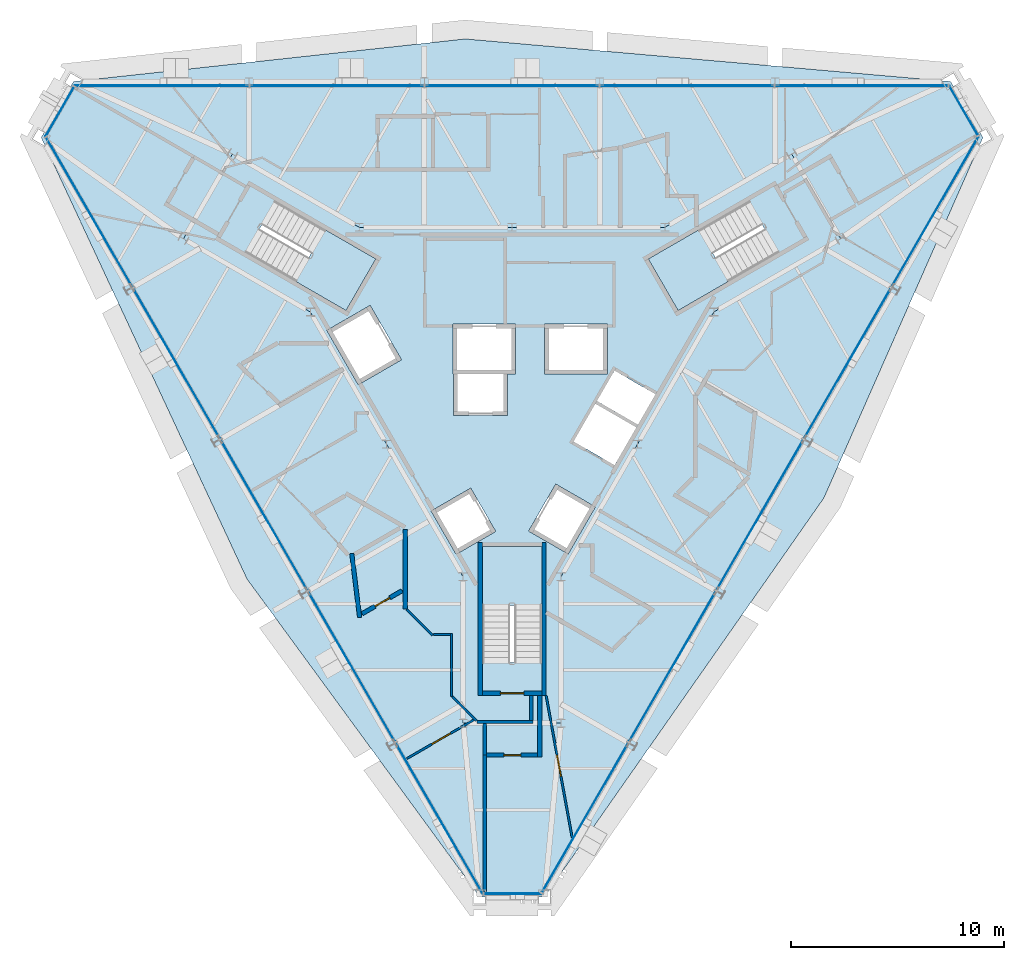
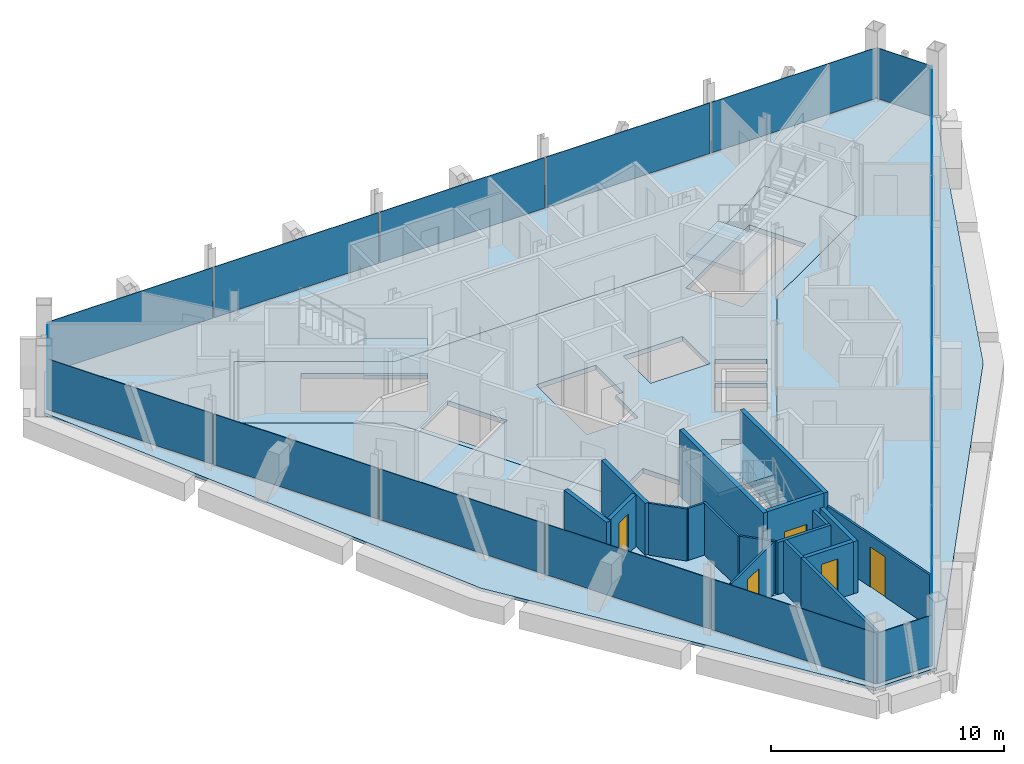
# One storey, part 8 of 14: 18 plates, 18 walls, 5 doors, 5 slabs, 5 openings, 9 elements without a shape of their own.
"""IFC4 building model written with IfcOpenShell, lengths in metres."""

from ifc_helpers import new_model, si_unit, direction, frame, frame_2d, origin, origin_2d, place, context, subcontext, project, spatial, polyline, rectangle, outline, extrude, material, layer, layer_set, type_object, element, fill, aggregate, save


model = new_model("IFC4")

# Units and contexts
model_context = context("Model", 3, precision=1e-05, world=origin(), true_north=direction((0.0, 1.0)))
body_context = subcontext(model_context, "Body", "Model", "MODEL_VIEW")
ifc_project = project(units=[si_unit("LENGTHUNIT", "METRE"), si_unit("AREAUNIT", "SQUARE_METRE"), si_unit("VOLUMEUNIT", "CUBIC_METRE"), si_unit("PLANEANGLEUNIT", "RADIAN"), si_unit("MASSUNIT", "GRAM", prefix="KILO")], contexts=[model_context])

# Site, building, storey
site_placement = place(None, origin())
site = spatial("IfcSite", under=ifc_project, at=site_placement, CompositionType="ELEMENT")
building_placement = place(site_placement, origin())
building = spatial("IfcBuilding", under=site, at=building_placement, Name="Verrane Prism Tower", CompositionType="ELEMENT")
storey_placement = place(building_placement, frame((0.0, 0.0, 293.60009765625)))
storey = spatial("IfcBuildingStorey", under=building, at=storey_placement, Name="L74", CompositionType="ELEMENT", Elevation=293.60009765625)

# Slabs
ifc_material_1 = material(Name="Concrete C35/45", Category="concrete")
ifc_layer_1 = layer(ifc_material_1, 0.159912109375)
ifc_layer_set_1 = layer_set([ifc_layer_1], Name="Composite floor slab")
slab_type_1 = type_object("IfcSlabType", Name="Composite floor slab", PredefinedType="FLOOR", material=ifc_layer_set_1)
slab_1_placement = place(storey_placement, frame((0.0, 0.0, -0.16015625)))
element("IfcSlab", 1, at=slab_1_placement, inside=storey, type_object=slab_type_1, Name="Floor slab L74", PredefinedType="FLOOR", context=body_context, shape_type="SweptSolid", body=[
    extrude(outline(polyline([(14.652099609375, -5.921630859375), (1.51904296875, -24.6689453125), (-1.51904296875, -24.6689453125), (-12.454345703125, -9.728515625), (-22.12353515625, 11.01904296875), (-20.6044921875, 13.64990234375), (-2.19775390625, 15.64990234375), (20.6044921875, 13.64990234375), (22.12353515625, 11.01904296875), (14.652099609375, -5.921630859375)]), holes=[polyline([(15.43994140625, 6.260009765625), (13.139892578125, 10.239990234375), (7.179931640625, 6.800048828125), (0.0, 6.800048828125), (-7.179931640625, 6.800048828125), (-13.139892578125, 10.239990234375), (-15.43994140625, 6.260009765625), (-9.47998046875, 2.820068359375), (-5.889892578125, -3.39990234375), (-2.300048828125, -9.6201171875), (-2.300048828125, -16.5), (2.300048828125, -16.5), (2.300048828125, -9.6201171875), (5.889892578125, -3.39990234375), (9.47998046875, 2.820068359375), (15.43994140625, 6.260009765625)])]), origin(), (0.0, 0.0, 1.0), 0.16015625),
])
ifc_material_2 = material(Name="Concrete C40/50", Category="concrete")
ifc_layer_2 = layer(ifc_material_2, 0.25)
ifc_layer_set_2 = layer_set([ifc_layer_2], Name="Core floor slab 250 concrete C40/50")
slab_type_2 = type_object("IfcSlabType", Name="Core floor slab 250 concrete C40/50", PredefinedType="FLOOR", material=ifc_layer_set_2)
slab_2_placement = place(storey_placement, frame((0.0, 0.0, -0.25)))
element("IfcSlab", 2, at=slab_2_placement, inside=storey, type_object=slab_type_2, Name="Core floor L74", PredefinedType="FLOOR", context=body_context, shape_type="SweptSolid", body=[
    extrude(outline(polyline([(9.47998046875, 2.820068359375), (15.43994140625, 6.260009765625), (13.139892578125, 10.239990234375), (7.179931640625, 6.800048828125), (0.0, 6.800048828125), (-7.179931640625, 6.800048828125), (-13.139892578125, 10.239990234375), (-15.43994140625, 6.260009765625), (-9.47998046875, 2.820068359375), (-5.889892578125, -3.39990234375), (-2.300048828125, -9.6201171875), (-2.300048828125, -16.5), (2.300048828125, -16.5), (2.300048828125, -9.6201171875), (5.889892578125, -3.39990234375), (9.47998046875, 2.820068359375)]), holes=[polyline([(-1.39990234375, -8.199951171875), (1.39990234375, -8.199951171875), (1.39990234375, -13.639892578125), (-1.39990234375, -13.639892578125), (-1.39990234375, -8.199951171875)]), polyline([(-0.76708984375, -7.491943359375), (-2.62890625, -8.56689453125), (-3.803955078125, -6.531982421875), (-1.94189453125, -5.45703125), (-0.76708984375, -7.491943359375)]), polyline([(3.9140625, -6.341064453125), (2.638916015625, -8.550048828125), (0.777099609375, -7.47509765625), (2.052001953125, -5.26611328125), (3.9140625, -6.341064453125)]), polyline([(4.81494140625, -4.37890625), (2.888916015625, -3.26708984375), (3.9130859375, -1.490966796875), (5.841064453125, -2.60302734375), (4.81494140625, -4.37890625)]), polyline([(6.739990234375, -1.044921875), (5.916015625, -2.47412109375), (3.988037109375, -1.361083984375), (4.81396484375, 0.06689453125), (6.739990234375, -1.044921875)]), polyline([(-2.784912109375, -0.10009765625), (-2.784912109375, 2.25), (0.1650390625, 2.25), (0.1650390625, -0.10009765625), (-0.205078125, -0.10009765625), (-0.205078125, -2.050048828125), (-2.7548828125, -2.050048828125), (-2.7548828125, -0.10009765625), (-2.784912109375, -0.10009765625)]), polyline([(4.47509765625, 2.25), (4.47509765625, -0.10009765625), (1.52490234375, -0.10009765625), (1.52490234375, 2.25), (4.47509765625, 2.25)]), polyline([(-8.7041015625, 1.955078125), (-6.66796875, 3.1298828125), (-5.193115234375, 0.574951171875), (-7.22900390625, -0.60009765625), (-8.7041015625, 1.955078125)]), polyline([(-7.801025390625, 2.887939453125), (-12.512939453125, 5.60791015625), (-11.113037109375, 8.031982421875), (-6.40087890625, 5.31201171875), (-7.801025390625, 2.887939453125)]), polyline([(6.40087890625, 5.31201171875), (11.113037109375, 8.031982421875), (12.512939453125, 5.60791015625), (7.801025390625, 2.887939453125), (6.40087890625, 5.31201171875)])]), origin(), (0.0, 0.0, 1.0), 0.25),
])

# Curtain wall, plate
ifc_material_3 = material(Name="Aluminium framed insulated glazing", Category="aluminium")
curtain_wall_type = type_object("IfcCurtainWallType", Name="Curtain wall CW-A 8400 module", PredefinedType="NOTDEFINED", material=ifc_material_3)
curtain_wall_1_placement = place(storey_placement, origin())
curtain_wall_1 = element("IfcCurtainWall", 3, at=curtain_wall_1_placement, inside=storey, type_object=curtain_wall_type, Name="Glazed curtain wall north-east corner L74", PredefinedType="NOTDEFINED")
ifc_material_4 = material(Name="Low-iron insulating glass unit", Category="glass")
ifc_layer_3 = layer(ifc_material_4, 0.031982421875)
ifc_layer_set_3 = layer_set([ifc_layer_3], Name="Glazing panel IGU 32")
plate_type = type_object("IfcPlateType", Name="Glazing panel IGU 32", PredefinedType="CURTAIN_PANEL", material=ifc_layer_set_3)
plate_1_placement = place(storey_placement, frame((21.21484375, 12.288818359375, 0.06982421875), z_axis=(0.0, 0.0, 1.0), x_axis=(-0.500002040855, 0.866024225493, 0.0)))
plate_1 = element("IfcPlate", 4, at=plate_1_placement, type_object=plate_type, Name="CW72.1 panel 1", PredefinedType="CURTAIN_PANEL", context=body_context, shape_type="SweptSolid", body=[
    extrude(rectangle(XDim=2.67529296875, YDim=0.031982421875, at=origin_2d()), origin(), (0.0, 0.0, 1.0), 2.653076171875),
])
aggregate(curtain_wall_1, [plate_1])

# Curtain wall, plates
curtain_wall_2_placement = place(storey_placement, origin())
curtain_wall_2 = element("IfcCurtainWall", 5, at=curtain_wall_2_placement, inside=storey, type_object=curtain_wall_type, Name="Glazed curtain wall north face L74", PredefinedType="NOTDEFINED")
plate_2_placement = place(storey_placement, frame((16.41943359375, 13.447265625, 0.06982421875), z_axis=(0.0, 0.0, 1.0), x_axis=(-1.0, 0.0, 0.0)))
plate_2 = element("IfcPlate", 6, at=plate_2_placement, type_object=plate_type, Name="CW72.2 panel 1", PredefinedType="CURTAIN_PANEL", context=body_context, shape_type="SweptSolid", body=[
    extrude(rectangle(XDim=8.113525390625, YDim=0.031982421875, at=origin_2d()), origin(), (0.0, 0.0, 1.0), 2.653076171875),
])
plate_3_placement = place(storey_placement, frame((8.218505859375, 13.447265625, 0.06982421875), z_axis=(0.0, 0.0, 1.0), x_axis=(-1.0, 0.0, 0.0)))
plate_3 = element("IfcPlate", 7, at=plate_3_placement, type_object=plate_type, Name="CW72.2 panel 2", PredefinedType="CURTAIN_PANEL", context=body_context, shape_type="SweptSolid", body=[
    extrude(rectangle(XDim=8.1484375, YDim=0.031982421875, at=origin_2d()), origin(), (0.0, 0.0, 1.0), 2.653076171875),
])
plate_4_placement = place(storey_placement, frame((0.0, 13.447265625, 0.06982421875), z_axis=(0.0, 0.0, 1.0), x_axis=(-1.0, 0.0, 0.0)))
plate_4 = element("IfcPlate", 8, at=plate_4_placement, type_object=plate_type, Name="CW72.2 panel 3", PredefinedType="CURTAIN_PANEL", context=body_context, shape_type="SweptSolid", body=[
    extrude(rectangle(XDim=8.1484375, YDim=0.031982421875, at=origin_2d()), origin(), (0.0, 0.0, 1.0), 2.653076171875),
])
plate_5_placement = place(storey_placement, frame((-8.218505859375, 13.447265625, 0.06982421875), z_axis=(0.0, 0.0, 1.0), x_axis=(-1.0, 0.0, 0.0)))
plate_5 = element("IfcPlate", 9, at=plate_5_placement, type_object=plate_type, Name="CW72.2 panel 4", PredefinedType="CURTAIN_PANEL", context=body_context, shape_type="SweptSolid", body=[
    extrude(rectangle(XDim=8.1484375, YDim=0.031982421875, at=origin_2d()), origin(), (0.0, 0.0, 1.0), 2.653076171875),
])
plate_6_placement = place(storey_placement, frame((-16.454345703125, 13.447265625, 0.06982421875), z_axis=(0.0, 0.0, 1.0), x_axis=(-1.0, 0.0, 0.0)))
plate_6 = element("IfcPlate", 10, at=plate_6_placement, type_object=plate_type, Name="CW72.2 panel 5", PredefinedType="CURTAIN_PANEL", context=body_context, shape_type="SweptSolid", body=[
    extrude(rectangle(XDim=8.183349609375, YDim=0.031982421875, at=origin_2d()), origin(), (0.0, 0.0, 1.0), 2.653076171875),
])
aggregate(curtain_wall_2, [plate_2, plate_3, plate_4, plate_5, plate_6])

# Curtain wall, plate
curtain_wall_3_placement = place(storey_placement, origin())
curtain_wall_3 = element("IfcCurtainWall", 11, at=curtain_wall_3_placement, inside=storey, type_object=curtain_wall_type, Name="Glazed curtain wall north-west corner L74", PredefinedType="NOTDEFINED")
plate_7_placement = place(storey_placement, frame((-21.25, 12.228271484375, 0.06982421875), z_axis=(0.0, 0.0, 1.0), x_axis=(-0.500002040855, -0.866024225493, 0.0)))
plate_7 = element("IfcPlate", 12, at=plate_7_placement, type_object=plate_type, Name="CW72.3 panel 1", PredefinedType="CURTAIN_PANEL", context=body_context, shape_type="SweptSolid", body=[
    extrude(rectangle(XDim=2.67529296875, YDim=0.031982421875, at=origin_2d()), origin(), (0.0, 0.0, 1.0), 2.653076171875),
])
aggregate(curtain_wall_3, [plate_7])

# Curtain wall, plates
curtain_wall_4_placement = place(storey_placement, origin())
curtain_wall_4 = element("IfcCurtainWall", 13, at=curtain_wall_4_placement, inside=storey, type_object=curtain_wall_type, Name="Glazed curtain wall south-west face L74", PredefinedType="NOTDEFINED")
plate_8_placement = place(storey_placement, frame((-19.855224609375, 7.495849609375, 0.06982421875), z_axis=(0.0, 0.0, 1.0), x_axis=(0.500000938868, -0.866024861728, 0.0)))
plate_8 = element("IfcPlate", 14, at=plate_8_placement, type_object=plate_type, Name="CW72.4 panel 1", PredefinedType="CURTAIN_PANEL", context=body_context, shape_type="SweptSolid", body=[
    extrude(rectangle(XDim=8.113525390625, YDim=0.031982421875, at=origin_2d()), origin(), (0.0, 0.0, 1.0), 2.653076171875),
])
plate_9_placement = place(storey_placement, frame((-15.7548828125, 0.393798828125, 0.06982421875), z_axis=(0.0, 0.0, 1.0), x_axis=(0.500000938868, -0.866024861728, 0.0)))
plate_9 = element("IfcPlate", 15, at=plate_9_placement, type_object=plate_type, Name="CW72.4 panel 2", PredefinedType="CURTAIN_PANEL", context=body_context, shape_type="SweptSolid", body=[
    extrude(rectangle(XDim=8.1484375, YDim=0.031982421875, at=origin_2d()), origin(), (0.0, 0.0, 1.0), 2.653076171875),
])
plate_10_placement = place(storey_placement, frame((-11.645751953125, -6.7236328125, 0.06982421875), z_axis=(0.0, 0.0, 1.0), x_axis=(0.500000938868, -0.866024861728, 0.0)))
plate_10 = element("IfcPlate", 16, at=plate_10_placement, type_object=plate_type, Name="CW72.4 panel 3", PredefinedType="CURTAIN_PANEL", context=body_context, shape_type="SweptSolid", body=[
    extrude(rectangle(XDim=8.1484375, YDim=0.031982421875, at=origin_2d()), origin(), (0.0, 0.0, 1.0), 2.653076171875),
])
plate_11_placement = place(storey_placement, frame((-7.536376953125, -13.841064453125, 0.06982421875), z_axis=(0.0, 0.0, 1.0), x_axis=(0.500000938868, -0.866024861728, 0.0)))
plate_11 = element("IfcPlate", 17, at=plate_11_placement, type_object=plate_type, Name="CW72.4 panel 4", PredefinedType="CURTAIN_PANEL", context=body_context, shape_type="SweptSolid", body=[
    extrude(rectangle(XDim=8.1484375, YDim=0.031982421875, at=origin_2d()), origin(), (0.0, 0.0, 1.0), 2.653076171875),
])
plate_12_placement = place(storey_placement, frame((-3.41845703125, -20.973388671875, 0.06982421875), z_axis=(0.0, 0.0, 1.0), x_axis=(0.500000938868, -0.866024861728, 0.0)))
plate_12 = element("IfcPlate", 18, at=plate_12_placement, type_object=plate_type, Name="CW72.4 panel 5", PredefinedType="CURTAIN_PANEL", context=body_context, shape_type="SweptSolid", body=[
    extrude(rectangle(XDim=8.183349609375, YDim=0.031982421875, at=origin_2d()), origin(), (0.0, 0.0, 1.0), 2.653076171875),
])
aggregate(curtain_wall_4, [plate_8, plate_9, plate_10, plate_11, plate_12])

# Curtain wall, plate
curtain_wall_5_placement = place(storey_placement, origin())
curtain_wall_5 = element("IfcCurtainWall", 19, at=curtain_wall_5_placement, inside=storey, type_object=curtain_wall_type, Name="Glazed curtain wall south corner L74", PredefinedType="NOTDEFINED")
plate_13_placement = place(storey_placement, frame((0.034912109375, -24.51708984375, 0.06982421875), z_axis=(0.0, 0.0, 1.0), x_axis=(1.0, 0.0, 0.0)))
plate_13 = element("IfcPlate", 20, at=plate_13_placement, type_object=plate_type, Name="CW72.5 panel 1", PredefinedType="CURTAIN_PANEL", context=body_context, shape_type="SweptSolid", body=[
    extrude(rectangle(XDim=2.67529296875, YDim=0.031982421875, at=origin_2d()), origin(), (0.0, 0.0, 1.0), 2.653076171875),
])
aggregate(curtain_wall_5, [plate_13])

# Curtain wall, plates
curtain_wall_6_placement = place(storey_placement, origin())
curtain_wall_6 = element("IfcCurtainWall", 21, at=curtain_wall_6_placement, inside=storey, type_object=curtain_wall_type, Name="Glazed curtain wall south-east face L74", PredefinedType="NOTDEFINED")
plate_14_placement = place(storey_placement, frame((3.43603515625, -20.943115234375, 0.06982421875), z_axis=(0.0, 0.0, 1.0), x_axis=(0.500000938868, 0.866024861728, 0.0)))
plate_14 = element("IfcPlate", 22, at=plate_14_placement, type_object=plate_type, Name="CW72.6 panel 1", PredefinedType="CURTAIN_PANEL", context=body_context, shape_type="SweptSolid", body=[
    extrude(rectangle(XDim=8.113525390625, YDim=0.031982421875, at=origin_2d()), origin(), (0.0, 0.0, 1.0), 2.653076171875),
])
plate_15_placement = place(storey_placement, frame((7.536376953125, -13.841064453125, 0.06982421875), z_axis=(0.0, 0.0, 1.0), x_axis=(0.500000938868, 0.866024861728, 0.0)))
plate_15 = element("IfcPlate", 23, at=plate_15_placement, type_object=plate_type, Name="CW72.6 panel 2", PredefinedType="CURTAIN_PANEL", context=body_context, shape_type="SweptSolid", body=[
    extrude(rectangle(XDim=8.1484375, YDim=0.031982421875, at=origin_2d()), origin(), (0.0, 0.0, 1.0), 2.653076171875),
])
plate_16_placement = place(storey_placement, frame((11.645751953125, -6.7236328125, 0.06982421875), z_axis=(0.0, 0.0, 1.0), x_axis=(0.500000938868, 0.866024861728, 0.0)))
plate_16 = element("IfcPlate", 24, at=plate_16_placement, type_object=plate_type, Name="CW72.6 panel 3", PredefinedType="CURTAIN_PANEL", context=body_context, shape_type="SweptSolid", body=[
    extrude(rectangle(XDim=8.1484375, YDim=0.031982421875, at=origin_2d()), origin(), (0.0, 0.0, 1.0), 2.653076171875),
])
plate_17_placement = place(storey_placement, frame((15.7548828125, 0.393798828125, 0.06982421875), z_axis=(0.0, 0.0, 1.0), x_axis=(0.500000938868, 0.866024861728, 0.0)))
plate_17 = element("IfcPlate", 25, at=plate_17_placement, type_object=plate_type, Name="CW72.6 panel 4", PredefinedType="CURTAIN_PANEL", context=body_context, shape_type="SweptSolid", body=[
    extrude(rectangle(XDim=8.1484375, YDim=0.031982421875, at=origin_2d()), origin(), (0.0, 0.0, 1.0), 2.653076171875),
])
plate_18_placement = place(storey_placement, frame((19.872802734375, 7.5263671875, 0.06982421875), z_axis=(0.0, 0.0, 1.0), x_axis=(0.500000938868, 0.866024861728, 0.0)))
plate_18 = element("IfcPlate", 26, at=plate_18_placement, type_object=plate_type, Name="CW72.6 panel 5", PredefinedType="CURTAIN_PANEL", context=body_context, shape_type="SweptSolid", body=[
    extrude(rectangle(XDim=8.183349609375, YDim=0.031982421875, at=origin_2d()), origin(), (0.0, 0.0, 1.0), 2.653076171875),
])
aggregate(curtain_wall_6, [plate_14, plate_15, plate_16, plate_17, plate_18])

# Stair, slab
ifc_material_5 = material(Name="Concrete C40/50", Category="concrete")
stair_type = type_object("IfcStairType", Name="Exit stair 1300 dog-leg precast concrete C40/50", PredefinedType="HALF_TURN_STAIR", material=ifc_material_5)
stair_1_placement = place(storey_placement, origin())
stair_1 = element("IfcStair", 27, at=stair_1_placement, inside=storey, type_object=stair_type, Name="Stair 1 L74", PredefinedType="HALF_TURN_STAIR")
ifc_material_6 = material(Name="Concrete C40/50", Category="concrete")
ifc_layer_4 = layer(ifc_material_6, 0.199951171875)
ifc_layer_set_4 = layer_set([ifc_layer_4], Name="Stair landing 200 precast concrete C40/50")
slab_type_3 = type_object("IfcSlabType", Name="Stair landing 200 precast concrete C40/50", PredefinedType="LANDING", material=ifc_layer_set_4)
slab_3_placement = place(storey_placement, frame((0.0, 0.0, 1.64990234375)))
slab_3 = element("IfcSlab", 28, at=slab_3_placement, type_object=slab_type_3, Name="Stair 1 landing 1", PredefinedType="LANDING", context=body_context, shape_type="SweptSolid", body=[
    extrude(outline(polyline([(8.791748046875, 6.6923828125), (6.4013671875, 5.3125), (7.801513671875, 2.887451171875), (10.191650390625, 4.267578125), (8.791748046875, 6.6923828125)])), origin(), (0.0, 0.0, 1.0), 0.199951171875),
])
aggregate(stair_1, [slab_3])

stair_2_placement = place(storey_placement, origin())
stair_2 = element("IfcStair", 29, at=stair_2_placement, inside=storey, type_object=stair_type, Name="Stair 2 L74", PredefinedType="HALF_TURN_STAIR")
slab_4_placement = place(storey_placement, frame((0.0, 0.0, 1.64990234375)))
slab_4 = element("IfcSlab", 30, at=slab_4_placement, type_object=slab_type_3, Name="Stair 2 landing 1", PredefinedType="LANDING", context=body_context, shape_type="SweptSolid", body=[
    extrude(outline(polyline([(-10.191650390625, 4.267578125), (-7.801513671875, 2.887451171875), (-6.4013671875, 5.3125), (-8.791748046875, 6.6923828125), (-10.191650390625, 4.267578125)])), origin(), (0.0, 0.0, 1.0), 0.199951171875),
])
aggregate(stair_2, [slab_4])

stair_3_placement = place(storey_placement, origin())
stair_3 = element("IfcStair", 31, at=stair_3_placement, inside=storey, type_object=stair_type, Name="Stair 3 L74", PredefinedType="HALF_TURN_STAIR")
slab_5_placement = place(storey_placement, frame((0.0, 0.0, 1.64990234375)))
slab_5 = element("IfcSlab", 32, at=slab_5_placement, type_object=slab_type_3, Name="Stair 3 landing 1", PredefinedType="LANDING", context=body_context, shape_type="SweptSolid", body=[
    extrude(outline(polyline([(1.39990234375, -10.9599609375), (1.39990234375, -8.199951171875), (-1.39990234375, -8.199951171875), (-1.39990234375, -10.9599609375), (1.39990234375, -10.9599609375)])), origin(), (0.0, 0.0, 1.0), 0.199951171875),
])
aggregate(stair_3, [slab_5])

# Wall, opening, door
ifc_material_7 = material(Name="Concrete C40/50", Category="concrete")
ifc_layer_5 = layer(ifc_material_7, 0.199951171875)
ifc_layer_set_5 = layer_set([ifc_layer_5], Name="CW-200 stair core wall concrete C40/50 3 h")
wall_type_1 = type_object("IfcWallType", Name="CW-200 stair core wall concrete C40/50 3 h", PredefinedType="PARTITIONING", material=ifc_layer_set_5)
wall_1_placement = place(storey_placement, frame((-1.39990234375, -15.10009765625, 0.0), z_axis=(0.0, 0.0, 1.0), x_axis=(1.0, 0.0, 0.0)))
wall_1 = element("IfcWall", 33, at=wall_1_placement, inside=storey, type_object=wall_type_1, Name="Stair 3 enclosure wall", PredefinedType="PARTITIONING", context=body_context, shape_type="SweptSolid", body=[
    extrude(rectangle(XDim=2.7998046875, YDim=0.199951171875, at=frame_2d((1.39990234375, 0.0))), origin(), (0.0, 0.0, 1.0), 3.449951171875),
])
opening_1_placement = place(wall_1_placement, frame((0.85009765625, 0.0, 0.0)))
opening_1 = element("IfcOpeningElement", 34, at=opening_1_placement, cuts=wall_1, Name="Opening D72502", PredefinedType="OPENING", context=body_context, shape_type="SweptSolid", body=[
    extrude(rectangle(XDim=1.10009765625, YDim=2.10009765625, at=frame_2d((0.550048828125, 1.050048828125))), frame((0.0, 0.10986328125, 0.0), z_axis=(0.0, -1.0, 0.0), x_axis=(1.0, 0.0, 0.0)), (0.0, 0.0, 1.0), 0.219970703125),
])
ifc_material_8 = material(Name="Timber veneered door leaf", Category="wood")
door_type_1 = type_object("IfcDoorType", Name="DR-1100x2100 FD90 single leaf stair", OperationType="NOTDEFINED", PredefinedType="DOOR", material=ifc_material_8)
door_1_placement = place(opening_1_placement, origin())
door_1 = element("IfcDoor", 35, at=door_1_placement, inside=storey, type_object=door_type_1, Name="Stair 3 door", OperationType="SINGLE_SWING_LEFT", OverallHeight=2.10009765625, OverallWidth=1.10009765625, PredefinedType="DOOR", context=body_context, shape_type="SweptSolid", body=[
    extrude(rectangle(XDim=1.10009765625, YDim=2.10009765625, at=frame_2d((0.550048828125, 1.050048828125))), frame((0.0, 0.02490234375, 0.0), z_axis=(0.0, -1.0, 0.0), x_axis=(1.0, 0.0, 0.0)), (0.0, 0.0, 1.0), 0.050048828125),
])
fill(opening_1, door_1)

# Walls
for number, where, z_axis, x_axis, name in (
    (36, (1.5, -8.0, 0.0), (0.0, 0.0, 1.0), (0.0, -1.0, 0.0), "Stair 3 enclosure wall"),
    (37, (-1.5, -8.0, 0.0), (0.0, 0.0, 1.0), (0.0, -1.0, 0.0), "Stair 3 enclosure wall"),
):
    element("IfcWall", number, at=place(storey_placement, frame(where, z_axis=z_axis, x_axis=x_axis)), inside=storey, type_object=wall_type_1, Name=name, PredefinedType="PARTITIONING", context=body_context, shape_type="SweptSolid", body=[
        extrude(rectangle(XDim=7.199951171875, YDim=0.199951171875, at=frame_2d((3.60009765625, 0.0))), origin(), (0.0, 0.0, 1.0), 3.449951171875),
    ])
ifc_material_9 = material(Name="Gypsum board partition", Category="other")
ifc_layer_6 = layer(ifc_material_9, 0.10009765625)
ifc_layer_set_6 = layer_set([ifc_layer_6], Name="PW-100 room partition")
wall_type_2 = type_object("IfcWallType", Name="PW-100 room partition", PredefinedType="PARTITIONING", material=ifc_layer_set_6)
wall_2_placement = place(storey_placement, frame((-4.94482421875, -11.163330078125, 0.0), z_axis=(0.0, 0.0, 1.0), x_axis=(0.707178051335, -0.707035503854, 0.0)))
element("IfcWall", 38, at=wall_2_placement, inside=storey, type_object=wall_type_2, Name="Room partition 028", PredefinedType="PARTITIONING", context=body_context, shape_type="SweptSolid", body=[
    extrude(rectangle(XDim=1.712646484375, YDim=0.10009765625, at=frame_2d((0.8564453125, 0.0))), origin(), (0.0, 0.0, 1.0), 2.722900390625),
])

# Wall, opening, door
wall_3_placement = place(storey_placement, frame((-1.79345703125, -16.345703125, 0.0), z_axis=(0.0, 0.0, 1.0), x_axis=(-0.86592535605, -0.500173247735, 0.0)))
wall_3 = element("IfcWall", 39, at=wall_3_placement, inside=storey, type_object=wall_type_2, Name="Room partition 029", PredefinedType="PARTITIONING", context=body_context, shape_type="SweptSolid", body=[
    extrude(rectangle(XDim=3.625244140625, YDim=0.10009765625, at=frame_2d((1.8125, 0.0))), origin(), (0.0, 0.0, 1.0), 2.722900390625),
])
opening_2_placement = place(wall_3_placement, frame((1.271484375, 0.0, 0.0)))
opening_2 = element("IfcOpeningElement", 40, at=opening_2_placement, cuts=wall_3, Name="Opening D72025", PredefinedType="OPENING", context=body_context, shape_type="SweptSolid", body=[
    extrude(rectangle(XDim=1.0, YDim=2.10009765625, at=frame_2d((0.5, 1.050048828125))), frame((0.0, 0.06005859375, 0.0), z_axis=(0.0, -1.0, 0.0), x_axis=(1.0, 0.0, 0.0)), (0.0, 0.0, 1.0), 0.1201171875),
])
ifc_material_10 = material(Name="Timber veneered door leaf", Category="wood")
door_type_2 = type_object("IfcDoorType", Name="DR-1000x2100 single leaf inner", OperationType="NOTDEFINED", PredefinedType="DOOR", material=ifc_material_10)
door_2_placement = place(opening_2_placement, origin())
door_2 = element("IfcDoor", 41, at=door_2_placement, inside=storey, type_object=door_type_2, Name="Living And Dining Room door", OperationType="SINGLE_SWING_RIGHT", OverallHeight=2.10009765625, OverallWidth=1.0, PredefinedType="DOOR", context=body_context, shape_type="SweptSolid", body=[
    extrude(rectangle(XDim=1.0, YDim=2.10009765625, at=frame_2d((0.5, 1.050048828125))), frame((0.0, 0.02490234375, 0.0), z_axis=(0.0, -1.0, 0.0), x_axis=(1.0, 0.0, 0.0)), (0.0, 0.0, 1.0), 0.050048828125),
])
fill(opening_2, door_2)

# Walls
wall_4_placement = place(storey_placement, frame((-3.698974609375, -12.339111328125, 0.0), z_axis=(0.0, 0.0, 1.0), x_axis=(1.0, 0.0, 0.0)))
element("IfcWall", 42, at=wall_4_placement, inside=storey, type_object=wall_type_2, Name="Room partition 030", PredefinedType="PARTITIONING", context=body_context, shape_type="SweptSolid", body=[
    extrude(rectangle(XDim=0.799072265625, YDim=0.10009765625, at=frame_2d((0.3994140625, 0.0))), origin(), (0.0, 0.0, 1.0), 2.722900390625),
])
wall_5_placement = place(storey_placement, frame((-2.85009765625, -15.25, 0.0), z_axis=(0.0, 0.0, 1.0), x_axis=(0.0, 1.0, 0.0)))
element("IfcWall", 43, at=wall_5_placement, inside=storey, type_object=wall_type_2, Name="Room partition 033", PredefinedType="PARTITIONING", context=body_context, shape_type="SweptSolid", body=[
    extrude(rectangle(XDim=2.9609375, YDim=0.10009765625, at=frame_2d((1.48046875, 0.0))), origin(), (0.0, 0.0, 1.0), 2.722900390625),
])
wall_6_placement = place(storey_placement, frame((-2.800537109375, -15.24951171875, 0.0), z_axis=(0.0, 0.0, 1.0), x_axis=(0.707106781187, -0.707106781187, 0.0)))
element("IfcWall", 44, at=wall_6_placement, inside=storey, type_object=wall_type_2, Name="Room partition 034", PredefinedType="PARTITIONING", context=body_context, shape_type="SweptSolid", body=[
    extrude(rectangle(XDim=1.60791015625, YDim=0.10009765625, at=frame_2d((0.803955078125, 0.0))), origin(), (0.0, 0.0, 1.0), 2.722900390625),
])

# Wall, opening, door
wall_7_placement = place(storey_placement, frame((2.82275390625, -21.869384765625, 0.0), z_axis=(0.0, 0.0, 1.0), x_axis=(-0.180317418333, 0.983608473248, 0.0)))
wall_7 = element("IfcWall", 45, at=wall_7_placement, inside=storey, type_object=wall_type_2, Name="Room partition 045", PredefinedType="PARTITIONING", context=body_context, shape_type="SweptSolid", body=[
    extrude(rectangle(XDim=6.780517578125, YDim=0.10009765625, at=frame_2d((3.39013671875, 0.0))), origin(), (0.0, 0.0, 1.0), 2.722900390625),
])
opening_3_placement = place(wall_7_placement, frame((2.9306640625, 0.0, 0.0)))
opening_3 = element("IfcOpeningElement", 46, at=opening_3_placement, cuts=wall_7, Name="Opening D72003", PredefinedType="OPENING", context=body_context, shape_type="SweptSolid", body=[
    extrude(rectangle(XDim=1.0, YDim=2.10009765625, at=frame_2d((0.5, 1.050048828125))), frame((0.0, 0.06005859375, 0.0), z_axis=(0.0, -1.0, 0.0), x_axis=(1.0, 0.0, 0.0)), (0.0, 0.0, 1.0), 0.1201171875),
])
door_3_placement = place(opening_3_placement, origin())
door_3 = element("IfcDoor", 47, at=door_3_placement, inside=storey, type_object=door_type_2, Name="Living And Dining Room door", OperationType="SINGLE_SWING_RIGHT", OverallHeight=2.10009765625, OverallWidth=1.0, PredefinedType="DOOR", context=body_context, shape_type="SweptSolid", body=[
    extrude(rectangle(XDim=1.0, YDim=2.10009765625, at=frame_2d((0.5, 1.050048828125))), frame((0.0, 0.02490234375, 0.0), z_axis=(0.0, -1.0, 0.0), x_axis=(1.0, 0.0, 0.0)), (0.0, 0.0, 1.0), 0.050048828125),
])
fill(opening_3, door_3)

# Walls
ifc_material_11 = material(Name="Gypsum board partition", Category="other")
ifc_layer_7 = layer(ifc_material_11, 0.14990234375)
ifc_layer_set_7 = layer_set([ifc_layer_7], Name="PW-150 demising wall 1 h")
wall_type_3 = type_object("IfcWallType", Name="PW-150 demising wall 1 h", PredefinedType="PARTITIONING", material=ifc_layer_set_7)
wall_8_placement = place(storey_placement, frame((-1.64990234375, -16.449951171875, 0.0), z_axis=(0.0, 0.0, 1.0), x_axis=(1.0, 0.0, 0.0)))
element("IfcWall", 48, at=wall_8_placement, inside=storey, type_object=wall_type_3, Name="Demising wall 035", PredefinedType="PARTITIONING", context=body_context, shape_type="SweptSolid", body=[
    extrude(rectangle(XDim=2.625, YDim=0.14990234375, at=frame_2d((1.3125, 0.0))), origin(), (0.0, 0.0, 1.0), 2.722900390625),
])
wall_9_placement = place(storey_placement, frame((-1.285888671875, -24.4208984375, 0.0), z_axis=(0.0, 0.0, 1.0), x_axis=(0.0, 1.0, 0.0)))
element("IfcWall", 49, at=wall_9_placement, inside=storey, type_object=wall_type_3, Name="Demising wall 036", PredefinedType="PARTITIONING", context=body_context, shape_type="SweptSolid", body=[
    extrude(rectangle(XDim=6.416015625, YDim=0.14990234375, at=frame_2d((3.2080078125, 0.0))), origin(), (0.0, 0.0, 1.0), 2.722900390625),
])
wall_10_placement = place(storey_placement, frame((-1.285888671875, -18.0, 0.0), z_axis=(0.0, 0.0, 1.0), x_axis=(0.0, 1.0, 0.0)))
element("IfcWall", 50, at=wall_10_placement, inside=storey, type_object=wall_type_3, Name="Demising wall 037", PredefinedType="PARTITIONING", context=body_context, shape_type="SweptSolid", body=[
    extrude(rectangle(XDim=1.47509765625, YDim=0.14990234375, at=frame_2d((0.737548828125, 0.0))), origin(), (0.0, 0.0, 1.0), 2.722900390625),
])
wall_11_placement = place(storey_placement, frame((0.89990234375, -16.375, 0.0), z_axis=(0.0, 0.0, 1.0), x_axis=(0.0, 1.0, 0.0)))
element("IfcWall", 51, at=wall_11_placement, inside=storey, type_object=wall_type_3, Name="Demising wall 041", PredefinedType="PARTITIONING", context=body_context, shape_type="SweptSolid", body=[
    extrude(rectangle(XDim=1.175048828125, YDim=0.14990234375, at=frame_2d((0.58740234375, 0.0))), origin(), (0.0, 0.0, 1.0), 2.722900390625),
])
ifc_material_12 = material(Name="Gypsum board partition", Category="other")
ifc_layer_8 = layer(ifc_material_12, 0.199951171875)
ifc_layer_set_8 = layer_set([ifc_layer_8], Name="PW-200 plumbing wall")
wall_type_4 = type_object("IfcWallType", Name="PW-200 plumbing wall", PredefinedType="PARTITIONING", material=ifc_layer_set_8)
wall_12_placement = place(storey_placement, frame((-7.53125, -8.53076171875, 0.0), z_axis=(0.0, 0.0, 1.0), x_axis=(0.121789472799, -0.992555955257, 0.0)))
element("IfcWall", 52, at=wall_12_placement, inside=storey, type_object=wall_type_4, Name="Plumbing wall 020", PredefinedType="PARTITIONING", context=body_context, shape_type="SweptSolid", body=[
    extrude(rectangle(XDim=3.02490234375, YDim=0.199951171875, at=frame_2d((1.512451171875, 0.0))), origin(), (0.0, 0.0, 1.0), 2.722900390625),
])

# Wall, opening, door
wall_13_placement = place(storey_placement, frame((-7.045166015625, -11.35888671875, 0.0), z_axis=(0.0, 0.0, 1.0), x_axis=(0.866022320763, 0.500005339912, 0.0)))
wall_13 = element("IfcWall", 53, at=wall_13_placement, inside=storey, type_object=wall_type_4, Name="Plumbing wall 024", PredefinedType="PARTITIONING", context=body_context, shape_type="SweptSolid", body=[
    extrude(rectangle(XDim=2.16650390625, YDim=0.199951171875, at=frame_2d((1.083251953125, 0.0))), origin(), (0.0, 0.0, 1.0), 2.722900390625),
])
opening_4_placement = place(wall_13_placement, frame((0.699951171875, 0.0, 0.0)))
opening_4 = element("IfcOpeningElement", 54, at=opening_4_placement, cuts=wall_13, Name="Opening D72026", PredefinedType="OPENING", context=body_context, shape_type="SweptSolid", body=[
    extrude(rectangle(XDim=0.800048828125, YDim=2.10009765625, at=frame_2d((0.39990234375, 1.050048828125))), frame((0.0, 0.10986328125, 0.0), z_axis=(0.0, -1.0, 0.0), x_axis=(1.0, 0.0, 0.0)), (0.0, 0.0, 1.0), 0.219970703125),
])
ifc_material_13 = material(Name="Timber veneered door leaf", Category="wood")
door_type_3 = type_object("IfcDoorType", Name="DR-800x2100 single leaf inner", OperationType="NOTDEFINED", PredefinedType="DOOR", material=ifc_material_13)
door_4_placement = place(opening_4_placement, origin())
door_4 = element("IfcDoor", 55, at=door_4_placement, inside=storey, type_object=door_type_3, Name="Bathroom door", OperationType="SINGLE_SWING_RIGHT", OverallHeight=2.10009765625, OverallWidth=0.800048828125, PredefinedType="DOOR", context=body_context, shape_type="SweptSolid", body=[
    extrude(rectangle(XDim=0.800048828125, YDim=2.10009765625, at=frame_2d((0.39990234375, 1.050048828125))), frame((0.0, 0.02490234375, 0.0), z_axis=(0.0, -1.0, 0.0), x_axis=(1.0, 0.0, 0.0)), (0.0, 0.0, 1.0), 0.050048828125),
])
fill(opening_4, door_4)

# Wall
wall_14_placement = place(storey_placement, frame((-5.01904296875, -11.138916015625, 0.0), z_axis=(0.0, 0.0, 1.0), x_axis=(0.0, 1.0, 0.0)))
element("IfcWall", 56, at=wall_14_placement, inside=storey, type_object=wall_type_4, Name="Plumbing wall 027", PredefinedType="PARTITIONING", context=body_context, shape_type="SweptSolid", body=[
    extrude(rectangle(XDim=3.73291015625, YDim=0.199951171875, at=frame_2d((1.866455078125, 0.0))), origin(), (0.0, 0.0, 1.0), 2.722900390625),
])

# Wall, opening, door
wall_15_placement = place(storey_placement, frame((-1.2109375, -18.0, 0.0), z_axis=(0.0, 0.0, 1.0), x_axis=(1.0, 0.0, 0.0)))
wall_15 = element("IfcWall", 57, at=wall_15_placement, inside=storey, type_object=wall_type_4, Name="Plumbing wall 038", PredefinedType="PARTITIONING", context=body_context, shape_type="SweptSolid", body=[
    extrude(rectangle(XDim=2.410888671875, YDim=0.199951171875, at=frame_2d((1.20556640625, 0.0))), origin(), (0.0, 0.0, 1.0), 2.722900390625),
])
opening_5_placement = place(wall_15_placement, frame((0.824951171875, 0.0, 0.0)))
opening_5 = element("IfcOpeningElement", 58, at=opening_5_placement, cuts=wall_15, Name="Opening D72004", PredefinedType="OPENING", context=body_context, shape_type="SweptSolid", body=[
    extrude(rectangle(XDim=0.800048828125, YDim=2.10009765625, at=frame_2d((0.39990234375, 1.050048828125))), frame((0.0, 0.10986328125, 0.0), z_axis=(0.0, -1.0, 0.0), x_axis=(1.0, 0.0, 0.0)), (0.0, 0.0, 1.0), 0.219970703125),
])
ifc_material_14 = material(Name="Timber veneered door leaf", Category="wood")
door_type_4 = type_object("IfcDoorType", Name="DR-800x2100 single leaf bath", OperationType="NOTDEFINED", PredefinedType="DOOR", material=ifc_material_14)
door_5_placement = place(opening_5_placement, origin())
door_5 = element("IfcDoor", 59, at=door_5_placement, inside=storey, type_object=door_type_4, Name="Master Bathroom door", OperationType="SINGLE_SWING_RIGHT", OverallHeight=2.10009765625, OverallWidth=0.800048828125, PredefinedType="DOOR", context=body_context, shape_type="SweptSolid", body=[
    extrude(rectangle(XDim=0.800048828125, YDim=2.10009765625, at=frame_2d((0.39990234375, 1.050048828125))), frame((0.0, 0.02490234375, 0.0), z_axis=(0.0, -1.0, 0.0), x_axis=(1.0, 0.0, 0.0)), (0.0, 0.0, 1.0), 0.050048828125),
])
fill(opening_5, door_5)

# Wall
wall_16_placement = place(storey_placement, frame((1.300048828125, -18.10009765625, 0.0), z_axis=(0.0, 0.0, 1.0), x_axis=(0.0, 1.0, 0.0)))
element("IfcWall", 60, at=wall_16_placement, inside=storey, type_object=wall_type_4, Name="Plumbing wall 043", PredefinedType="PARTITIONING", context=body_context, shape_type="SweptSolid", body=[
    extrude(rectangle(XDim=2.900146484375, YDim=0.199951171875, at=frame_2d((1.4501953125, 0.0))), origin(), (0.0, 0.0, 1.0), 2.722900390625),
])

save(model, "model.ifc")
